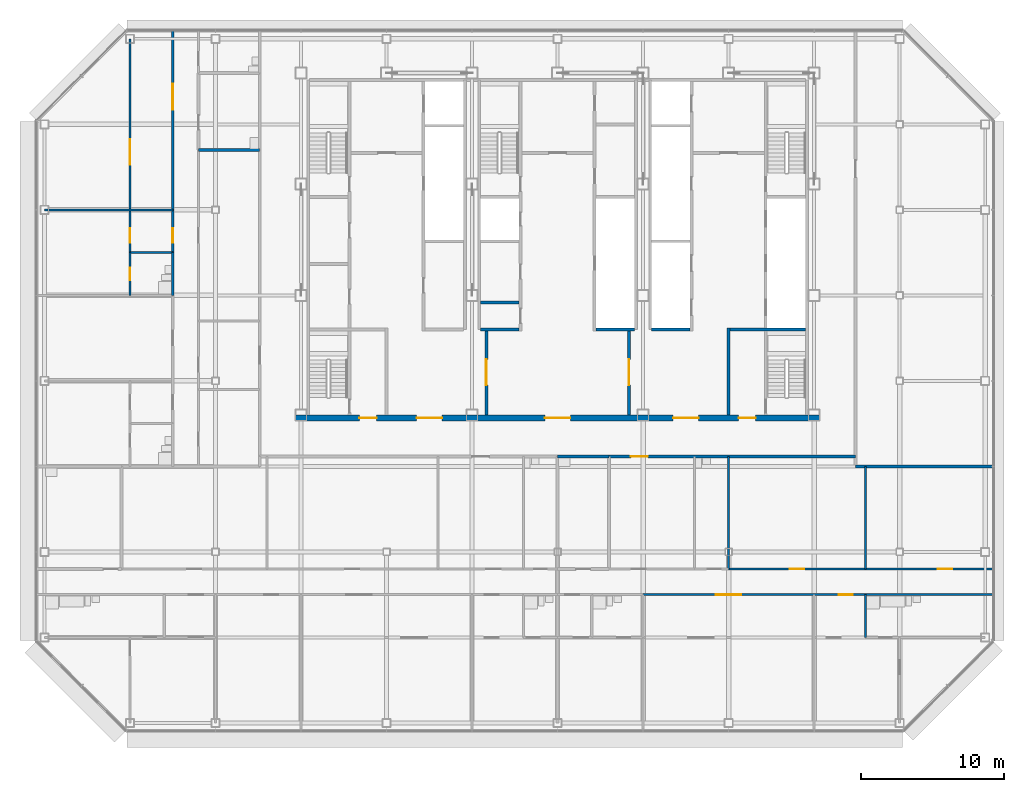
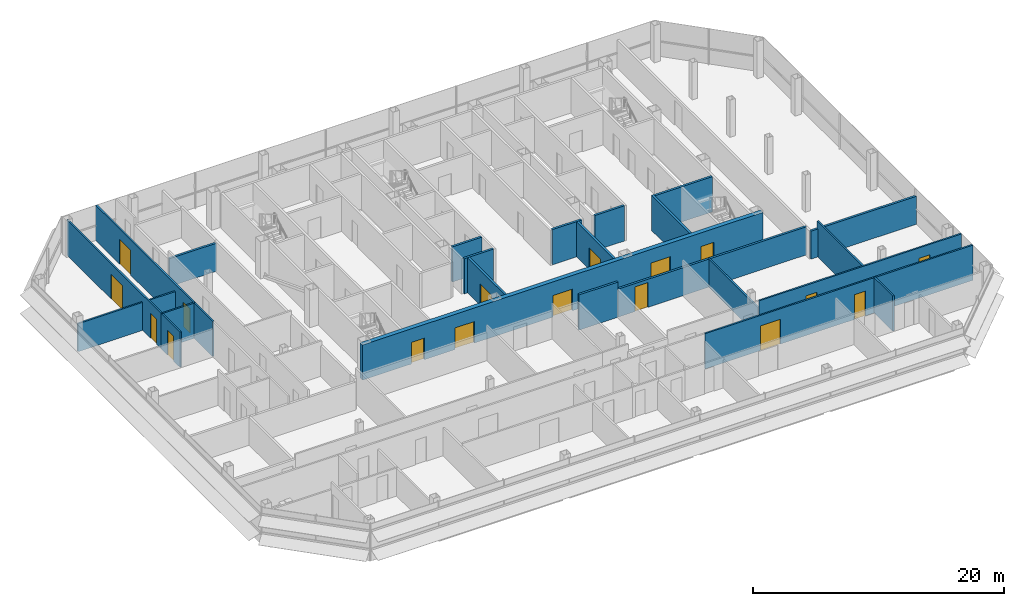
# One storey, part 23 of 28: 25 walls, 17 doors, 17 openings.
"""IFC4 building model written with IfcOpenShell, lengths in metres."""

from ifc_helpers import new_model, si_unit, direction, frame, frame_2d, origin, place, context, subcontext, project, spatial, rectangle, extrude, material, layer, layer_set, type_object, element, fill, save


model = new_model("IFC4")

# Units and contexts
model_context = context("Model", 3, precision=1e-05, world=origin(), true_north=direction((0.0, 1.0)))
body_context = subcontext(model_context, "Body", "Model", "MODEL_VIEW")
ifc_project = project(units=[si_unit("LENGTHUNIT", "METRE"), si_unit("AREAUNIT", "SQUARE_METRE"), si_unit("VOLUMEUNIT", "CUBIC_METRE"), si_unit("PLANEANGLEUNIT", "RADIAN"), si_unit("MASSUNIT", "GRAM", prefix="KILO")], contexts=[model_context])

# Site, building, storey
site_placement = place(None, origin())
site = spatial("IfcSite", under=ifc_project, at=site_placement, CompositionType="ELEMENT")
building_placement = place(site_placement, origin())
building = spatial("IfcBuilding", under=site, at=building_placement, Name="Sorahane Residences", CompositionType="ELEMENT")
storey_placement = place(building_placement, frame((0.0, 0.0, 273.800048828125)))
storey = spatial("IfcBuildingStorey", under=building, at=storey_placement, Name="L65", CompositionType="ELEMENT", Elevation=273.800048828125)

# Wall
ifc_material_1 = material(Name="Concrete blockwork C20 wall", Category="masonry")
ifc_layer_1 = layer(ifc_material_1, 0.199951171875)
ifc_layer_set_1 = layer_set([ifc_layer_1], Name="Corridor wall 200 EI 120")
wall_type_1 = type_object("IfcWallType", Name="Corridor wall 200 EI 120", PredefinedType="SOLIDWALL", material=ifc_layer_set_1)
wall_1_placement = place(storey_placement, frame((44.89990234375, 18.0, 0.0), z_axis=(0.0, 0.0, 1.0), x_axis=(1.0, 0.0, 0.0)))
element("IfcWall", 1, at=wall_1_placement, inside=storey, type_object=wall_type_1, Name="L65 corridor wall", PredefinedType="SOLIDWALL", context=body_context, shape_type="SweptSolid", body=[
    extrude(rectangle(XDim=9.7001953125, YDim=0.199951171875, at=frame_2d((4.85009765625, 0.0))), origin(), (0.0, 0.0, 1.0), 2.719970703125),
])

# Wall, opening, door
wall_2_placement = place(storey_placement, frame((27.60009765625, 18.699951171875, 0.0), z_axis=(0.0, 0.0, 1.0), x_axis=(1.0, 0.0, 0.0)))
wall_2 = element("IfcWall", 2, at=wall_2_placement, inside=storey, type_object=wall_type_1, Name="L65 corridor wall", PredefinedType="SOLIDWALL", context=body_context, shape_type="SweptSolid", body=[
    extrude(rectangle(XDim=17.2998046875, YDim=0.199951171875, at=frame_2d((8.64990234375, 0.0))), origin(), (0.0, 0.0, 1.0), 2.719970703125),
])
opening_1_placement = place(wall_2_placement, frame((1.5400390625, 0.0, 0.0)))
opening_1 = element("IfcOpeningElement", 3, at=opening_1_placement, cuts=wall_2, Name="Opening L65-45", PredefinedType="OPENING", context=body_context, shape_type="SweptSolid", body=[
    extrude(rectangle(XDim=1.199951171875, YDim=2.39990234375, at=frame_2d((0.60009765625, 1.199951171875))), frame((0.0, 0.10986328125, 0.0), z_axis=(0.0, -1.0, 0.0), x_axis=(1.0, 0.0, 0.0)), (0.0, 0.0, 1.0), 0.219970703125),
])
ifc_material_2 = material(Name="Timber veneered fire door", Category="wood")
door_type_1 = type_object("IfcDoorType", Name="Flat entrance door 1200x2400 FD60", OperationType="NOTDEFINED", PredefinedType="DOOR", material=ifc_material_2)
door_1_placement = place(opening_1_placement, frame((1.199951171875, 0.0, 0.0), z_axis=(0.0, 0.0, 1.0), x_axis=(-1.0, 0.0, 0.0)))
door_1 = element("IfcDoor", 4, at=door_1_placement, inside=storey, type_object=door_type_1, Name="Flat entrance door L65-45", OperationType="SINGLE_SWING_RIGHT", OverallHeight=2.39990234375, OverallWidth=1.199951171875, PredefinedType="DOOR", context=body_context, shape_type="SweptSolid", body=[
    extrude(rectangle(XDim=1.199951171875, YDim=2.39990234375, at=frame_2d((0.60009765625, 1.199951171875))), frame((0.0, 0.02490234375, 0.0), z_axis=(0.0, -1.0, 0.0), x_axis=(1.0, 0.0, 0.0)), (0.0, 0.0, 1.0), 0.050048828125),
])
fill(opening_1, door_1)

# Walls
ifc_material_3 = material(Name="Concrete C30", Category="concrete")
ifc_layer_2 = layer(ifc_material_3, 0.199951171875)
ifc_layer_set_2 = layer_set([ifc_layer_2], Name="Front room wall 200 EI 120")
wall_type_2 = type_object("IfcWallType", Name="Front room wall 200 EI 120", PredefinedType="PARTITIONING", material=ifc_layer_set_2)
wall_3_placement = place(storey_placement, frame((36.0, 21.60009765625, 0.0), z_axis=(0.0, 0.0, 1.0), x_axis=(0.0, 1.0, 0.0)))
element("IfcWall", 5, at=wall_3_placement, inside=storey, type_object=wall_type_2, Name="L65 front room wall", PredefinedType="PARTITIONING", context=body_context, shape_type="SweptSolid", body=[
    extrude(rectangle(XDim=6.099853515625, YDim=0.199951171875, at=frame_2d((3.0498046875, 0.0))), origin(), (0.0, 0.0, 1.0), 3.419921875),
])
ifc_material_4 = material(Name="Concrete blockwork C20 wall", Category="masonry")
ifc_layer_3 = layer(ifc_material_4, 0.199951171875)
ifc_layer_set_3 = layer_set([ifc_layer_3], Name="Kitchen wall 200 EI 180")
wall_type_3 = type_object("IfcWallType", Name="Kitchen wall 200 EI 180", PredefinedType="SOLIDWALL", material=ifc_layer_set_3)
wall_4_placement = place(storey_placement, frame((24.0, 18.699951171875, 0.0), z_axis=(0.0, 0.0, 1.0), x_axis=(1.0, 0.0, 0.0)))
element("IfcWall", 6, at=wall_4_placement, inside=storey, type_object=wall_type_3, Name="L65 kitchen wall", PredefinedType="SOLIDWALL", context=body_context, shape_type="SweptSolid", body=[
    extrude(rectangle(XDim=3.60009765625, YDim=0.199951171875, at=frame_2d((1.800048828125, 0.0))), origin(), (0.0, 0.0, 1.0), 3.419921875),
])
wall_5_placement = place(storey_placement, frame((-1.199951171875, 40.199951171875, 0.0), z_axis=(0.0, 0.0, 1.0), x_axis=(1.0, 0.0, 0.0)))
element("IfcWall", 7, at=wall_5_placement, inside=storey, type_object=wall_type_3, Name="L65 kitchen wall", PredefinedType="SOLIDWALL", context=body_context, shape_type="SweptSolid", body=[
    extrude(rectangle(XDim=4.300048828125, YDim=0.199951171875, at=frame_2d((2.14990234375, 0.0))), origin(), (0.0, 0.0, 1.0), 2.719970703125),
])
ifc_material_5 = material(Name="Concrete C30", Category="concrete")
ifc_layer_4 = layer(ifc_material_5, 0.199951171875)
ifc_layer_set_4 = layer_set([ifc_layer_4], Name="Lift shaft wall 200 EI 120")
wall_type_4 = type_object("IfcWallType", Name="Lift shaft wall 200 EI 120", PredefinedType="SOLIDWALL", material=ifc_layer_set_4)
wall_6_placement = place(storey_placement, frame((30.60009765625, 27.60009765625, 0.0), z_axis=(0.0, 0.0, 1.0), x_axis=(1.0, 0.0, 0.0)))
element("IfcWall", 8, at=wall_6_placement, inside=storey, type_object=wall_type_4, Name="L65 lift shaft wall", PredefinedType="SOLIDWALL", context=body_context, shape_type="SweptSolid", body=[
    extrude(rectangle(XDim=2.699951171875, YDim=0.199951171875, at=frame_2d((1.35009765625, 0.0))), origin(), (0.0, 0.0, 1.0), 3.419921875),
])

# Wall, openings, doors
ifc_material_6 = material(Name="Gypsum board partition on steel studs", Category="steel")
ifc_layer_5 = layer(ifc_material_6, 0.14990234375)
ifc_layer_set_5 = layer_set([ifc_layer_5], Name="Partition 150 EI 90")
wall_type_5 = type_object("IfcWallType", Name="Partition 150 EI 90", PredefinedType="PARTITIONING", material=ifc_layer_set_5)
wall_7_placement = place(storey_placement, frame((-3.0, 33.0, 0.0), z_axis=(0.0, 0.0, 1.0), x_axis=(0.0, 1.0, 0.0)))
wall_7 = element("IfcWall", 9, at=wall_7_placement, inside=storey, type_object=wall_type_5, Name="L65 partition", PredefinedType="PARTITIONING", context=body_context, shape_type="SweptSolid", body=[
    extrude(rectangle(XDim=15.60009765625, YDim=0.14990234375, at=frame_2d((7.800048828125, 0.0))), origin(), (0.0, 0.0, 1.0), 3.419921875),
])
opening_2_placement = place(wall_7_placement, frame((0.699951171875, 0.0, 0.0)))
opening_2 = element("IfcOpeningElement", 10, at=opening_2_placement, cuts=wall_7, Name="Opening L65-37", PredefinedType="OPENING", context=body_context, shape_type="SweptSolid", body=[
    extrude(rectangle(XDim=1.0, YDim=2.39990234375, at=frame_2d((0.5, 1.199951171875))), frame((0.0, 0.0849609375, 0.0), z_axis=(0.0, -1.0, 0.0), x_axis=(1.0, 0.0, 0.0)), (0.0, 0.0, 1.0), 0.169921875),
])
opening_3_placement = place(wall_7_placement, frame((10.0400390625, 0.0, 0.0)))
opening_3 = element("IfcOpeningElement", 11, at=opening_3_placement, cuts=wall_7, Name="Opening L65-38", PredefinedType="OPENING", context=body_context, shape_type="SweptSolid", body=[
    extrude(rectangle(XDim=1.800048828125, YDim=2.39990234375, at=frame_2d((0.89990234375, 1.199951171875))), frame((0.0, 0.0849609375, 0.0), z_axis=(0.0, -1.0, 0.0), x_axis=(1.0, 0.0, 0.0)), (0.0, 0.0, 1.0), 0.169921875),
])
ifc_material_7 = material(Name="Timber veneered fire door", Category="wood")
door_type_2 = type_object("IfcDoorType", Name="Double door 1800x2400 FD30", OperationType="NOTDEFINED", PredefinedType="DOOR", material=ifc_material_7)
door_2_placement = place(opening_3_placement, origin())
door_2 = element("IfcDoor", 12, at=door_2_placement, inside=storey, type_object=door_type_2, Name="Double door L65-38", OperationType="SINGLE_SWING_RIGHT", OverallHeight=2.39990234375, OverallWidth=1.800048828125, PredefinedType="DOOR", context=body_context, shape_type="SweptSolid", body=[
    extrude(rectangle(XDim=1.800048828125, YDim=2.39990234375, at=frame_2d((0.89990234375, 1.199951171875))), frame((0.0, 0.02490234375, 0.0), z_axis=(0.0, -1.0, 0.0), x_axis=(1.0, 0.0, 0.0)), (0.0, 0.0, 1.0), 0.050048828125),
])
fill(opening_3, door_2)
ifc_material_8 = material(Name="Timber veneered fire door", Category="wood")
door_type_3 = type_object("IfcDoorType", Name="Room door 1000x2400 FD30", OperationType="NOTDEFINED", PredefinedType="DOOR", material=ifc_material_8)
door_3_placement = place(opening_2_placement, origin())
door_3 = element("IfcDoor", 13, at=door_3_placement, inside=storey, type_object=door_type_3, Name="Room door L65-37", OperationType="SINGLE_SWING_LEFT", OverallHeight=2.39990234375, OverallWidth=1.0, PredefinedType="DOOR", context=body_context, shape_type="SweptSolid", body=[
    extrude(rectangle(XDim=1.0, YDim=2.39990234375, at=frame_2d((0.5, 1.199951171875))), frame((0.0, 0.02490234375, 0.0), z_axis=(0.0, -1.0, 0.0), x_axis=(1.0, 0.0, 0.0)), (0.0, 0.0, 1.0), 0.050048828125),
])
fill(opening_2, door_3)

wall_8_placement = place(storey_placement, frame((-6.0, 33.0, 0.0), z_axis=(0.0, 0.0, 1.0), x_axis=(0.0, 1.0, 0.0)))
wall_8 = element("IfcWall", 14, at=wall_8_placement, inside=storey, type_object=wall_type_5, Name="L65 partition", PredefinedType="PARTITIONING", context=body_context, shape_type="SweptSolid", body=[
    extrude(rectangle(XDim=15.0, YDim=0.14990234375, at=frame_2d((7.5, 0.0))), origin(), (0.0, 0.0, 1.0), 3.419921875),
])
opening_4_placement = place(wall_8_placement, frame((0.699951171875, 0.0, 0.0)))
opening_4 = element("IfcOpeningElement", 15, at=opening_4_placement, cuts=wall_8, Name="Opening L65-41", PredefinedType="OPENING", context=body_context, shape_type="SweptSolid", body=[
    extrude(rectangle(XDim=1.0, YDim=2.39990234375, at=frame_2d((0.5, 1.199951171875))), frame((0.0, 0.0849609375, 0.0), z_axis=(0.0, -1.0, 0.0), x_axis=(1.0, 0.0, 0.0)), (0.0, 0.0, 1.0), 0.169921875),
])
opening_5_placement = place(wall_8_placement, frame((6.159912109375, 0.0, 0.0)))
opening_5 = element("IfcOpeningElement", 16, at=opening_5_placement, cuts=wall_8, Name="Opening L65-43", PredefinedType="OPENING", context=body_context, shape_type="SweptSolid", body=[
    extrude(rectangle(XDim=1.800048828125, YDim=2.39990234375, at=frame_2d((0.89990234375, 1.199951171875))), frame((0.0, 0.0849609375, 0.0), z_axis=(0.0, -1.0, 0.0), x_axis=(1.0, 0.0, 0.0)), (0.0, 0.0, 1.0), 0.169921875),
])
door_4_placement = place(opening_5_placement, origin())
door_4 = element("IfcDoor", 17, at=door_4_placement, inside=storey, type_object=door_type_2, Name="Double door L65-43", OperationType="SINGLE_SWING_RIGHT", OverallHeight=2.39990234375, OverallWidth=1.800048828125, PredefinedType="DOOR", context=body_context, shape_type="SweptSolid", body=[
    extrude(rectangle(XDim=1.800048828125, YDim=2.39990234375, at=frame_2d((0.89990234375, 1.199951171875))), frame((0.0, 0.02490234375, 0.0), z_axis=(0.0, -1.0, 0.0), x_axis=(1.0, 0.0, 0.0)), (0.0, 0.0, 1.0), 0.050048828125),
])
fill(opening_5, door_4)
door_5_placement = place(opening_4_placement, origin())
door_5 = element("IfcDoor", 18, at=door_5_placement, inside=storey, type_object=door_type_3, Name="Room door L65-41", OperationType="SINGLE_SWING_LEFT", OverallHeight=2.39990234375, OverallWidth=1.0, PredefinedType="DOOR", context=body_context, shape_type="SweptSolid", body=[
    extrude(rectangle(XDim=1.0, YDim=2.39990234375, at=frame_2d((0.5, 1.199951171875))), frame((0.0, 0.02490234375, 0.0), z_axis=(0.0, -1.0, 0.0), x_axis=(1.0, 0.0, 0.0)), (0.0, 0.0, 1.0), 0.050048828125),
])
fill(opening_4, door_5)

# Wall
wall_9_placement = place(storey_placement, frame((45.60009765625, 10.800048828125, 0.0), z_axis=(0.0, 0.0, 1.0), x_axis=(0.0, 1.0, 0.0)))
element("IfcWall", 19, at=wall_9_placement, inside=storey, type_object=wall_type_5, Name="L65 partition", PredefinedType="PARTITIONING", context=body_context, shape_type="SweptSolid", body=[
    extrude(rectangle(XDim=7.199951171875, YDim=0.14990234375, at=frame_2d((3.60009765625, 0.0))), origin(), (0.0, 0.0, 1.0), 3.419921875),
])

# Wall, openings, doors
wall_10_placement = place(storey_placement, frame((36.0, 10.800048828125, 0.0), z_axis=(0.0, 0.0, 1.0), x_axis=(1.0, 0.0, 0.0)))
wall_10 = element("IfcWall", 20, at=wall_10_placement, inside=storey, type_object=wall_type_5, Name="L65 partition", PredefinedType="PARTITIONING", context=body_context, shape_type="SweptSolid", body=[
    extrude(rectangle(XDim=18.60009765625, YDim=0.14990234375, at=frame_2d((9.300048828125, 0.0))), origin(), (0.0, 0.0, 1.0), 3.419921875),
])
opening_6_placement = place(wall_10_placement, frame((4.300048828125, 0.0, 0.0)))
opening_6 = element("IfcOpeningElement", 21, at=opening_6_placement, cuts=wall_10, Name="Opening L65-19", PredefinedType="OPENING", context=body_context, shape_type="SweptSolid", body=[
    extrude(rectangle(XDim=1.0, YDim=2.39990234375, at=frame_2d((0.5, 1.199951171875))), frame((0.0, 0.0849609375, 0.0), z_axis=(0.0, -1.0, 0.0), x_axis=(1.0, 0.0, 0.0)), (0.0, 0.0, 1.0), 0.169921875),
])
opening_7_placement = place(wall_10_placement, frame((14.679931640625, 0.0, 0.0)))
opening_7 = element("IfcOpeningElement", 22, at=opening_7_placement, cuts=wall_10, Name="Opening L65-20", PredefinedType="OPENING", context=body_context, shape_type="SweptSolid", body=[
    extrude(rectangle(XDim=1.0, YDim=2.39990234375, at=frame_2d((0.5, 1.199951171875))), frame((0.0, 0.0849609375, 0.0), z_axis=(0.0, -1.0, 0.0), x_axis=(1.0, 0.0, 0.0)), (0.0, 0.0, 1.0), 0.169921875),
])
door_6_placement = place(opening_6_placement, origin())
door_6 = element("IfcDoor", 23, at=door_6_placement, inside=storey, type_object=door_type_3, Name="Room door L65-19", OperationType="SINGLE_SWING_RIGHT", OverallHeight=2.39990234375, OverallWidth=1.0, PredefinedType="DOOR", context=body_context, shape_type="SweptSolid", body=[
    extrude(rectangle(XDim=1.0, YDim=2.39990234375, at=frame_2d((0.5, 1.199951171875))), frame((0.0, 0.02490234375, 0.0), z_axis=(0.0, -1.0, 0.0), x_axis=(1.0, 0.0, 0.0)), (0.0, 0.0, 1.0), 0.050048828125),
])
fill(opening_6, door_6)
door_7_placement = place(opening_7_placement, origin())
door_7 = element("IfcDoor", 24, at=door_7_placement, inside=storey, type_object=door_type_3, Name="Room door L65-20", OperationType="SINGLE_SWING_RIGHT", OverallHeight=2.39990234375, OverallWidth=1.0, PredefinedType="DOOR", context=body_context, shape_type="SweptSolid", body=[
    extrude(rectangle(XDim=1.0, YDim=2.39990234375, at=frame_2d((0.5, 1.199951171875))), frame((0.0, 0.02490234375, 0.0), z_axis=(0.0, -1.0, 0.0), x_axis=(1.0, 0.0, 0.0)), (0.0, 0.0, 1.0), 0.050048828125),
])
fill(opening_7, door_7)

# Wall
wall_11_placement = place(storey_placement, frame((-12.0, 36.0, 0.0), z_axis=(0.0, 0.0, 1.0), x_axis=(1.0, 0.0, 0.0)))
element("IfcWall", 25, at=wall_11_placement, inside=storey, type_object=wall_type_5, Name="L65 partition", PredefinedType="PARTITIONING", context=body_context, shape_type="SweptSolid", body=[
    extrude(rectangle(XDim=9.0, YDim=0.14990234375, at=frame_2d((4.5, 0.0))), origin(), (0.0, 0.0, 1.0), 2.719970703125),
])

# Wall, openings, doors
wall_12_placement = place(storey_placement, frame((30.0, 9.0, 0.0), z_axis=(0.0, 0.0, 1.0), x_axis=(1.0, 0.0, 0.0)))
wall_12 = element("IfcWall", 26, at=wall_12_placement, inside=storey, type_object=wall_type_5, Name="L65 partition", PredefinedType="PARTITIONING", context=body_context, shape_type="SweptSolid", body=[
    extrude(rectangle(XDim=15.60009765625, YDim=0.14990234375, at=frame_2d((7.800048828125, 0.0))), origin(), (0.0, 0.0, 1.0), 3.419921875),
])
opening_8_placement = place(wall_12_placement, frame((5.10009765625, 0.0, 0.0)))
opening_8 = element("IfcOpeningElement", 27, at=opening_8_placement, cuts=wall_12, Name="Opening L65-22", PredefinedType="OPENING", context=body_context, shape_type="SweptSolid", body=[
    extrude(rectangle(XDim=1.800048828125, YDim=2.39990234375, at=frame_2d((0.89990234375, 1.199951171875))), frame((0.0, 0.0849609375, 0.0), z_axis=(0.0, -1.0, 0.0), x_axis=(1.0, 0.0, 0.0)), (0.0, 0.0, 1.0), 0.169921875),
])
opening_9_placement = place(wall_12_placement, frame((13.719970703125, 0.0, 0.0)))
opening_9 = element("IfcOpeningElement", 28, at=opening_9_placement, cuts=wall_12, Name="Opening L65-23", PredefinedType="OPENING", context=body_context, shape_type="SweptSolid", body=[
    extrude(rectangle(XDim=1.0, YDim=2.39990234375, at=frame_2d((0.5, 1.199951171875))), frame((0.0, 0.0849609375, 0.0), z_axis=(0.0, -1.0, 0.0), x_axis=(1.0, 0.0, 0.0)), (0.0, 0.0, 1.0), 0.169921875),
])
door_8_placement = place(opening_8_placement, frame((1.800048828125, 0.0, 0.0), z_axis=(0.0, 0.0, 1.0), x_axis=(-1.0, 0.0, 0.0)))
door_8 = element("IfcDoor", 29, at=door_8_placement, inside=storey, type_object=door_type_2, Name="Double door L65-22", OperationType="SINGLE_SWING_RIGHT", OverallHeight=2.39990234375, OverallWidth=1.800048828125, PredefinedType="DOOR", context=body_context, shape_type="SweptSolid", body=[
    extrude(rectangle(XDim=1.800048828125, YDim=2.39990234375, at=frame_2d((0.89990234375, 1.199951171875))), frame((0.0, 0.02490234375, 0.0), z_axis=(0.0, -1.0, 0.0), x_axis=(1.0, 0.0, 0.0)), (0.0, 0.0, 1.0), 0.050048828125),
])
fill(opening_8, door_8)
door_9_placement = place(opening_9_placement, frame((1.0, 0.0, 0.0), z_axis=(0.0, 0.0, 1.0), x_axis=(-1.0, 0.0, 0.0)))
door_9 = element("IfcDoor", 30, at=door_9_placement, inside=storey, type_object=door_type_3, Name="Room door L65-23", OperationType="SINGLE_SWING_LEFT", OverallHeight=2.39990234375, OverallWidth=1.0, PredefinedType="DOOR", context=body_context, shape_type="SweptSolid", body=[
    extrude(rectangle(XDim=1.0, YDim=2.39990234375, at=frame_2d((0.5, 1.199951171875))), frame((0.0, 0.02490234375, 0.0), z_axis=(0.0, -1.0, 0.0), x_axis=(1.0, 0.0, 0.0)), (0.0, 0.0, 1.0), 0.050048828125),
])
fill(opening_9, door_9)

# Wall
ifc_material_9 = material(Name="Concrete C30", Category="concrete")
ifc_layer_6 = layer(ifc_material_9, 0.199951171875)
ifc_layer_set_6 = layer_set([ifc_layer_6], Name="Riser shaft wall 200 EI 120")
wall_type_6 = type_object("IfcWallType", Name="Riser shaft wall 200 EI 120", PredefinedType="SOLIDWALL", material=ifc_layer_set_6)
wall_13_placement = place(storey_placement, frame((26.699951171875, 27.60009765625, 0.0), z_axis=(0.0, 0.0, 1.0), x_axis=(1.0, 0.0, 0.0)))
element("IfcWall", 31, at=wall_13_placement, inside=storey, type_object=wall_type_6, Name="L65 riser wall", PredefinedType="SOLIDWALL", context=body_context, shape_type="SweptSolid", body=[
    extrude(rectangle(XDim=2.699951171875, YDim=0.199951171875, at=frame_2d((1.35009765625, 0.0))), origin(), (0.0, 0.0, 1.0), 3.419921875),
])

# Wall, opening, door
ifc_material_10 = material(Name="Concrete C30", Category="concrete")
ifc_layer_7 = layer(ifc_material_10, 0.199951171875)
ifc_layer_set_7 = layer_set([ifc_layer_7], Name="Service room partition 200 EI 60")
wall_type_7 = type_object("IfcWallType", Name="Service room partition 200 EI 60", PredefinedType="PARTITIONING", material=ifc_layer_set_7)
wall_14_placement = place(storey_placement, frame((19.0, 21.60009765625, 0.0), z_axis=(0.0, 0.0, 1.0), x_axis=(0.0, 1.0, 0.0)))
wall_14 = element("IfcWall", 32, at=wall_14_placement, inside=storey, type_object=wall_type_7, Name="L65 service room wall", PredefinedType="PARTITIONING", context=body_context, shape_type="SweptSolid", body=[
    extrude(rectangle(XDim=6.0, YDim=0.199951171875, at=frame_2d((3.0, 0.0))), origin(), (0.0, 0.0, 1.0), 3.419921875),
])
opening_10_placement = place(wall_14_placement, frame((2.10009765625, 0.0, 0.0)))
opening_10 = element("IfcOpeningElement", 33, at=opening_10_placement, cuts=wall_14, Name="Opening L65-C02", PredefinedType="OPENING", context=body_context, shape_type="SweptSolid", body=[
    extrude(rectangle(XDim=1.800048828125, YDim=2.10009765625, at=frame_2d((0.89990234375, 1.050048828125))), frame((0.0, 0.10986328125, 0.0), z_axis=(0.0, -1.0, 0.0), x_axis=(1.0, 0.0, 0.0)), (0.0, 0.0, 1.0), 0.219970703125),
])
ifc_material_11 = material(Name="Steel", Category="steel")
door_type_4 = type_object("IfcDoorType", Name="Waiting hall door 1800x2100 FD60", OperationType="NOTDEFINED", PredefinedType="DOOR", material=ifc_material_11)
door_10_placement = place(opening_10_placement, origin())
door_10 = element("IfcDoor", 34, at=door_10_placement, inside=storey, type_object=door_type_4, Name="Waiting hall door Residents' waiting hall west L65", OperationType="SINGLE_SWING_LEFT", OverallHeight=2.10009765625, OverallWidth=1.800048828125, PredefinedType="DOOR", context=body_context, shape_type="SweptSolid", body=[
    extrude(rectangle(XDim=1.800048828125, YDim=2.10009765625, at=frame_2d((0.89990234375, 1.050048828125))), frame((0.0, 0.02490234375, 0.0), z_axis=(0.0, -1.0, 0.0), x_axis=(1.0, 0.0, 0.0)), (0.0, 0.0, 1.0), 0.050048828125),
])
fill(opening_10, door_10)

wall_15_placement = place(storey_placement, frame((29.0, 21.60009765625, 0.0), z_axis=(0.0, 0.0, 1.0), x_axis=(0.0, 1.0, 0.0)))
wall_15 = element("IfcWall", 35, at=wall_15_placement, inside=storey, type_object=wall_type_7, Name="L65 service room wall", PredefinedType="PARTITIONING", context=body_context, shape_type="SweptSolid", body=[
    extrude(rectangle(XDim=6.0, YDim=0.199951171875, at=frame_2d((3.0, 0.0))), origin(), (0.0, 0.0, 1.0), 3.419921875),
])
opening_11_placement = place(wall_15_placement, frame((2.10009765625, 0.0, 0.0)))
opening_11 = element("IfcOpeningElement", 36, at=opening_11_placement, cuts=wall_15, Name="Opening L65-C04", PredefinedType="OPENING", context=body_context, shape_type="SweptSolid", body=[
    extrude(rectangle(XDim=1.800048828125, YDim=2.10009765625, at=frame_2d((0.89990234375, 1.050048828125))), frame((0.0, 0.10986328125, 0.0), z_axis=(0.0, -1.0, 0.0), x_axis=(1.0, 0.0, 0.0)), (0.0, 0.0, 1.0), 0.219970703125),
])
door_11_placement = place(opening_11_placement, origin())
door_11 = element("IfcDoor", 37, at=door_11_placement, inside=storey, type_object=door_type_4, Name="Waiting hall door Residents' waiting hall centre L65", OperationType="SINGLE_SWING_LEFT", OverallHeight=2.10009765625, OverallWidth=1.800048828125, PredefinedType="DOOR", context=body_context, shape_type="SweptSolid", body=[
    extrude(rectangle(XDim=1.800048828125, YDim=2.10009765625, at=frame_2d((0.89990234375, 1.050048828125))), frame((0.0, 0.02490234375, 0.0), z_axis=(0.0, -1.0, 0.0), x_axis=(1.0, 0.0, 0.0)), (0.0, 0.0, 1.0), 0.050048828125),
])
fill(opening_11, door_11)

# Walls
for number, where, z_axis, x_axis, name in (
    (38, (18.60009765625, 27.60009765625, 0.0), (0.0, 0.0, 1.0), (1.0, 0.0, 0.0), "L65 service room wall"),
    (39, (18.60009765625, 29.5, 0.0), (0.0, 0.0, 1.0), (1.0, 0.0, 0.0), "L65 service room wall"),
):
    element("IfcWall", number, at=place(storey_placement, frame(where, z_axis=z_axis, x_axis=x_axis)), inside=storey, type_object=wall_type_7, Name=name, PredefinedType="PARTITIONING", context=body_context, shape_type="SweptSolid", body=[
        extrude(rectangle(XDim=2.699951171875, YDim=0.199951171875, at=frame_2d((1.35009765625, 0.0))), origin(), (0.0, 0.0, 1.0), 3.419921875),
    ])
ifc_material_12 = material(Name="Concrete C30", Category="concrete")
ifc_layer_8 = layer(ifc_material_12, 0.199951171875)
ifc_layer_set_8 = layer_set([ifc_layer_8], Name="Stair enclosure wall 200 EI 120")
wall_type_8 = type_object("IfcWallType", Name="Stair enclosure wall 200 EI 120", PredefinedType="SOLIDWALL", material=ifc_layer_set_8)
wall_16_placement = place(storey_placement, frame((36.10009765625, 27.60009765625, 0.0), z_axis=(0.0, 0.0, 1.0), x_axis=(1.0, 0.0, 0.0)))
element("IfcWall", 40, at=wall_16_placement, inside=storey, type_object=wall_type_8, Name="L65 stair enclosure wall", PredefinedType="SOLIDWALL", context=body_context, shape_type="SweptSolid", body=[
    extrude(rectangle(XDim=5.2998046875, YDim=0.199951171875, at=frame_2d((2.64990234375, 0.0))), origin(), (0.0, 0.0, 1.0), 3.419921875),
])

# Wall, openings, doors
ifc_material_13 = material(Name="Concrete C30", Category="concrete")
ifc_layer_9 = layer(ifc_material_13, 0.39990234375)
ifc_layer_set_9 = layer_set([ifc_layer_9], Name="Waiting hall wall 400 EI 120")
wall_type_9 = type_object("IfcWallType", Name="Waiting hall wall 400 EI 120", PredefinedType="SOLIDWALL", material=ifc_layer_set_9)
wall_17_placement = place(storey_placement, frame((5.60009765625, 21.39990234375, 0.0), z_axis=(0.0, 0.0, 1.0), x_axis=(1.0, 0.0, 0.0)))
wall_17 = element("IfcWall", 41, at=wall_17_placement, inside=storey, type_object=wall_type_9, Name="L65 waiting hall wall", PredefinedType="SOLIDWALL", context=body_context, shape_type="SweptSolid", body=[
    extrude(rectangle(XDim=36.7998046875, YDim=0.39990234375, at=frame_2d((18.39990234375, 0.0))), origin(), (0.0, 0.0, 1.0), 3.419921875),
])
opening_12_placement = place(wall_17_placement, frame((8.5, 0.0, 0.0)))
opening_12 = element("IfcOpeningElement", 42, at=opening_12_placement, cuts=wall_17, Name="Opening L65-C01", PredefinedType="OPENING", context=body_context, shape_type="SweptSolid", body=[
    extrude(rectangle(XDim=1.800048828125, YDim=2.10009765625, at=frame_2d((0.89990234375, 1.050048828125))), frame((0.0, 0.2099609375, 0.0), z_axis=(0.0, -1.0, 0.0), x_axis=(1.0, 0.0, 0.0)), (0.0, 0.0, 1.0), 0.419921875),
])
opening_13_placement = place(wall_17_placement, frame((17.5, 0.0, 0.0)))
opening_13 = element("IfcOpeningElement", 43, at=opening_13_placement, cuts=wall_17, Name="Opening L65-C03", PredefinedType="OPENING", context=body_context, shape_type="SweptSolid", body=[
    extrude(rectangle(XDim=1.800048828125, YDim=2.10009765625, at=frame_2d((0.89990234375, 1.050048828125))), frame((0.0, 0.2099609375, 0.0), z_axis=(0.0, -1.0, 0.0), x_axis=(1.0, 0.0, 0.0)), (0.0, 0.0, 1.0), 0.419921875),
])
opening_14_placement = place(wall_17_placement, frame((26.5, 0.0, 0.0)))
opening_14 = element("IfcOpeningElement", 44, at=opening_14_placement, cuts=wall_17, Name="Opening L65-C05", PredefinedType="OPENING", context=body_context, shape_type="SweptSolid", body=[
    extrude(rectangle(XDim=1.800048828125, YDim=2.10009765625, at=frame_2d((0.89990234375, 1.050048828125))), frame((0.0, 0.2099609375, 0.0), z_axis=(0.0, -1.0, 0.0), x_axis=(1.0, 0.0, 0.0)), (0.0, 0.0, 1.0), 0.419921875),
])
opening_15_placement = place(wall_17_placement, frame((4.5, 0.0, 0.0)))
opening_15 = element("IfcOpeningElement", 45, at=opening_15_placement, cuts=wall_17, Name="Opening L65-C06", PredefinedType="OPENING", context=body_context, shape_type="SweptSolid", body=[
    extrude(rectangle(XDim=1.199951171875, YDim=2.10009765625, at=frame_2d((0.60009765625, 1.050048828125))), frame((0.0, 0.2099609375, 0.0), z_axis=(0.0, -1.0, 0.0), x_axis=(1.0, 0.0, 0.0)), (0.0, 0.0, 1.0), 0.419921875),
])
opening_16_placement = place(wall_17_placement, frame((31.10009765625, 0.0, 0.0)))
opening_16 = element("IfcOpeningElement", 46, at=opening_16_placement, cuts=wall_17, Name="Opening L65-C07", PredefinedType="OPENING", context=body_context, shape_type="SweptSolid", body=[
    extrude(rectangle(XDim=1.199951171875, YDim=2.10009765625, at=frame_2d((0.60009765625, 1.050048828125))), frame((0.0, 0.2099609375, 0.0), z_axis=(0.0, -1.0, 0.0), x_axis=(1.0, 0.0, 0.0)), (0.0, 0.0, 1.0), 0.419921875),
])
ifc_material_14 = material(Name="Steel", Category="steel")
door_type_5 = type_object("IfcDoorType", Name="Stair front room door 1200x2100 FD120", OperationType="NOTDEFINED", PredefinedType="DOOR", material=ifc_material_14)
door_12_placement = place(opening_15_placement, frame((1.199951171875, 0.0, 0.0), z_axis=(0.0, 0.0, 1.0), x_axis=(-1.0, 0.0, 0.0)))
door_12 = element("IfcDoor", 47, at=door_12_placement, inside=storey, type_object=door_type_5, Name="Stair front room door Stair S4 front room L65", OperationType="SINGLE_SWING_LEFT", OverallHeight=2.10009765625, OverallWidth=1.199951171875, PredefinedType="DOOR", context=body_context, shape_type="SweptSolid", body=[
    extrude(rectangle(XDim=1.199951171875, YDim=2.10009765625, at=frame_2d((0.60009765625, 1.050048828125))), frame((0.0, 0.02490234375, 0.0), z_axis=(0.0, -1.0, 0.0), x_axis=(1.0, 0.0, 0.0)), (0.0, 0.0, 1.0), 0.050048828125),
])
fill(opening_15, door_12)
door_13_placement = place(opening_16_placement, frame((1.199951171875, 0.0, 0.0), z_axis=(0.0, 0.0, 1.0), x_axis=(-1.0, 0.0, 0.0)))
door_13 = element("IfcDoor", 48, at=door_13_placement, inside=storey, type_object=door_type_5, Name="Stair front room door Stair S5 front room L65", OperationType="SINGLE_SWING_LEFT", OverallHeight=2.10009765625, OverallWidth=1.199951171875, PredefinedType="DOOR", context=body_context, shape_type="SweptSolid", body=[
    extrude(rectangle(XDim=1.199951171875, YDim=2.10009765625, at=frame_2d((0.60009765625, 1.050048828125))), frame((0.0, 0.02490234375, 0.0), z_axis=(0.0, -1.0, 0.0), x_axis=(1.0, 0.0, 0.0)), (0.0, 0.0, 1.0), 0.050048828125),
])
fill(opening_16, door_13)
door_14_placement = place(opening_12_placement, frame((1.800048828125, 0.0, 0.0), z_axis=(0.0, 0.0, 1.0), x_axis=(-1.0, 0.0, 0.0)))
door_14 = element("IfcDoor", 49, at=door_14_placement, inside=storey, type_object=door_type_4, Name="Waiting hall door Residents' waiting hall west L65", OperationType="SINGLE_SWING_LEFT", OverallHeight=2.10009765625, OverallWidth=1.800048828125, PredefinedType="DOOR", context=body_context, shape_type="SweptSolid", body=[
    extrude(rectangle(XDim=1.800048828125, YDim=2.10009765625, at=frame_2d((0.89990234375, 1.050048828125))), frame((0.0, 0.02490234375, 0.0), z_axis=(0.0, -1.0, 0.0), x_axis=(1.0, 0.0, 0.0)), (0.0, 0.0, 1.0), 0.050048828125),
])
fill(opening_12, door_14)
door_15_placement = place(opening_13_placement, frame((1.800048828125, 0.0, 0.0), z_axis=(0.0, 0.0, 1.0), x_axis=(-1.0, 0.0, 0.0)))
door_15 = element("IfcDoor", 50, at=door_15_placement, inside=storey, type_object=door_type_4, Name="Waiting hall door Residents' waiting hall centre L65", OperationType="SINGLE_SWING_LEFT", OverallHeight=2.10009765625, OverallWidth=1.800048828125, PredefinedType="DOOR", context=body_context, shape_type="SweptSolid", body=[
    extrude(rectangle(XDim=1.800048828125, YDim=2.10009765625, at=frame_2d((0.89990234375, 1.050048828125))), frame((0.0, 0.02490234375, 0.0), z_axis=(0.0, -1.0, 0.0), x_axis=(1.0, 0.0, 0.0)), (0.0, 0.0, 1.0), 0.050048828125),
])
fill(opening_13, door_15)
door_16_placement = place(opening_14_placement, frame((1.800048828125, 0.0, 0.0), z_axis=(0.0, 0.0, 1.0), x_axis=(-1.0, 0.0, 0.0)))
door_16 = element("IfcDoor", 51, at=door_16_placement, inside=storey, type_object=door_type_4, Name="Waiting hall door Residents' waiting hall east L65", OperationType="SINGLE_SWING_LEFT", OverallHeight=2.10009765625, OverallWidth=1.800048828125, PredefinedType="DOOR", context=body_context, shape_type="SweptSolid", body=[
    extrude(rectangle(XDim=1.800048828125, YDim=2.10009765625, at=frame_2d((0.89990234375, 1.050048828125))), frame((0.0, 0.02490234375, 0.0), z_axis=(0.0, -1.0, 0.0), x_axis=(1.0, 0.0, 0.0)), (0.0, 0.0, 1.0), 0.050048828125),
])
fill(opening_14, door_16)

# Wall
ifc_material_15 = material(Name="Gypsum board partition on steel studs", Category="steel")
ifc_layer_10 = layer(ifc_material_15, 0.14990234375)
ifc_layer_set_10 = layer_set([ifc_layer_10], Name="Wet wall 150 EI 90")
wall_type_10 = type_object("IfcWallType", Name="Wet wall 150 EI 90", PredefinedType="PARTITIONING", material=ifc_layer_set_10)
wall_18_placement = place(storey_placement, frame((-3.0, 30.0, 0.0), z_axis=(0.0, 0.0, 1.0), x_axis=(0.0, 1.0, 0.0)))
element("IfcWall", 52, at=wall_18_placement, inside=storey, type_object=wall_type_10, Name="L65 wet wall", PredefinedType="PARTITIONING", context=body_context, shape_type="SweptSolid", body=[
    extrude(rectangle(XDim=3.0, YDim=0.14990234375, at=frame_2d((1.5, 0.0))), origin(), (0.0, 0.0, 1.0), 3.419921875),
])

# Wall, opening, door
wall_19_placement = place(storey_placement, frame((-6.0, 30.0, 0.0), z_axis=(0.0, 0.0, 1.0), x_axis=(0.0, 1.0, 0.0)))
wall_19 = element("IfcWall", 53, at=wall_19_placement, inside=storey, type_object=wall_type_10, Name="L65 wet wall", PredefinedType="PARTITIONING", context=body_context, shape_type="SweptSolid", body=[
    extrude(rectangle(XDim=3.0, YDim=0.14990234375, at=frame_2d((1.5, 0.0))), origin(), (0.0, 0.0, 1.0), 3.419921875),
])
opening_17_placement = place(wall_19_placement, frame((1.050048828125, 0.0, 0.0)))
opening_17 = element("IfcOpeningElement", 54, at=opening_17_placement, cuts=wall_19, Name="Opening L65-42", PredefinedType="OPENING", context=body_context, shape_type="SweptSolid", body=[
    extrude(rectangle(XDim=0.89990234375, YDim=2.39990234375, at=frame_2d((0.449951171875, 1.199951171875))), frame((0.0, 0.0849609375, 0.0), z_axis=(0.0, -1.0, 0.0), x_axis=(1.0, 0.0, 0.0)), (0.0, 0.0, 1.0), 0.169921875),
])
ifc_material_16 = material(Name="Timber veneered fire door", Category="wood")
door_type_6 = type_object("IfcDoorType", Name="Bathroom door 900x2400 FD30", OperationType="NOTDEFINED", PredefinedType="DOOR", material=ifc_material_16)
door_17_placement = place(opening_17_placement, origin())
door_17 = element("IfcDoor", 55, at=door_17_placement, inside=storey, type_object=door_type_6, Name="Bathroom door L65-42", OperationType="SINGLE_SWING_RIGHT", OverallHeight=2.39990234375, OverallWidth=0.89990234375, PredefinedType="DOOR", context=body_context, shape_type="SweptSolid", body=[
    extrude(rectangle(XDim=0.89990234375, YDim=2.39990234375, at=frame_2d((0.449951171875, 1.199951171875))), frame((0.0, 0.02490234375, 0.0), z_axis=(0.0, -1.0, 0.0), x_axis=(1.0, 0.0, 0.0)), (0.0, 0.0, 1.0), 0.050048828125),
])
fill(opening_17, door_17)

# Walls
wall_20_placement = place(storey_placement, frame((36.0, 10.800048828125, 0.0), z_axis=(0.0, 0.0, 1.0), x_axis=(0.0, 1.0, 0.0)))
element("IfcWall", 56, at=wall_20_placement, inside=storey, type_object=wall_type_10, Name="L65 wet wall", PredefinedType="PARTITIONING", context=body_context, shape_type="SweptSolid", body=[
    extrude(rectangle(XDim=7.89990234375, YDim=0.14990234375, at=frame_2d((3.949951171875, 0.0))), origin(), (0.0, 0.0, 1.0), 2.719970703125),
])
for number, where, z_axis, x_axis, name in (
    (57, (45.60009765625, 6.0, 0.0), (0.0, 0.0, 1.0), (0.0, 1.0, 0.0), "L65 wet wall"),
    (58, (-6.0, 33.0, 0.0), (0.0, 0.0, 1.0), (1.0, 0.0, 0.0), "L65 wet wall"),
):
    element("IfcWall", number, at=place(storey_placement, frame(where, z_axis=z_axis, x_axis=x_axis)), inside=storey, type_object=wall_type_10, Name=name, PredefinedType="PARTITIONING", context=body_context, shape_type="SweptSolid", body=[
        extrude(rectangle(XDim=3.0, YDim=0.14990234375, at=frame_2d((1.5, 0.0))), origin(), (0.0, 0.0, 1.0), 3.419921875),
    ])
wall_21_placement = place(storey_placement, frame((45.60009765625, 9.0, 0.0), z_axis=(0.0, 0.0, 1.0), x_axis=(1.0, 0.0, 0.0)))
element("IfcWall", 59, at=wall_21_placement, inside=storey, type_object=wall_type_10, Name="L65 wet wall", PredefinedType="PARTITIONING", context=body_context, shape_type="SweptSolid", body=[
    extrude(rectangle(XDim=9.0, YDim=0.14990234375, at=frame_2d((4.5, 0.0))), origin(), (0.0, 0.0, 1.0), 3.419921875),
])

save(model, "model.ifc")
